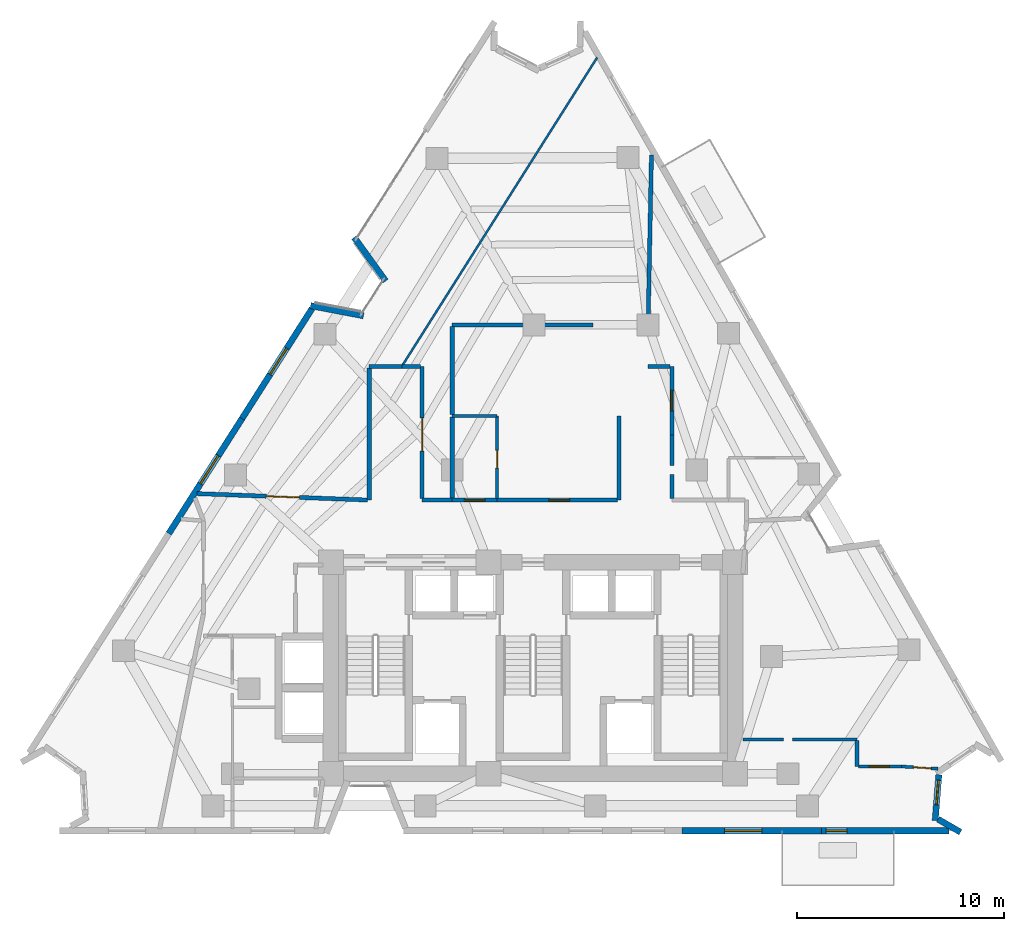
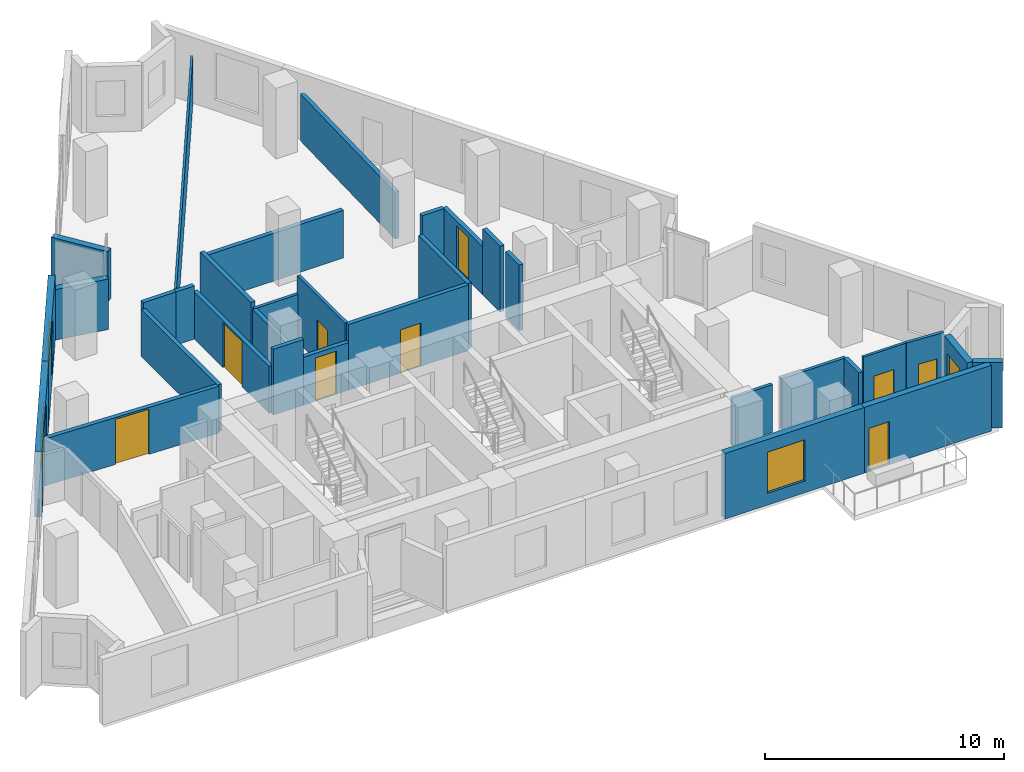
# One storey, part 8 of 12: 33 walls, 9 doors, 4 windows, 13 openings.
"""IFC4 building model written with IfcOpenShell, lengths in metres."""

import ifcopenshell
import ifcopenshell.guid

model = None  # the IFC model being written
_history = None  # IfcOwnerHistory: only IFC2X3 demands one
_inside = {}  # id of a spatial element -> (the spatial element, [elements in it])
_under = {}  # id of a project, library or spatial element -> (it, [spatial elements below it])
_declared = {}  # id of a project -> (the project, [libraries it declares])
_typed = {}  # id of a type object -> (the type object, [elements of that type])
_made_of = {}  # id of a material, layer set ... -> (it, [elements and type objects made of it])


def new_model(schema):
    """Start an empty IFC model of exactly this schema.

    Asked for "IFC4X3", IfcOpenShell would pick the latest addendum, in which some entities
    have other attributes; the version numbers below select the first issue.
    IFC2X3 requires an IfcOwnerHistory on every rooted entity: one is made here for all.
    """
    global model, _history
    if schema == "IFC4X3":
        model = ifcopenshell.file(schema_version=(4, 3, 0, 0))
    else:
        model = ifcopenshell.file(schema=schema)
    _inside.clear()
    _under.clear()
    _declared.clear()
    _typed.clear()
    _made_of.clear()
    _history = None
    if model.schema == "IFC2X3":
        org = make("IfcOrganization", Name="unknown")
        user = make(
            "IfcPersonAndOrganization",
            ThePerson=make("IfcPerson", FamilyName="unknown"),
            TheOrganization=org,
        )
        app = make(
            "IfcApplication",
            ApplicationDeveloper=org,
            Version="unknown",
            ApplicationFullName="unknown",
            ApplicationIdentifier="unknown",
        )
        _history = make(
            "IfcOwnerHistory",
            OwningUser=user,
            OwningApplication=app,
            ChangeAction="ADDED",
            CreationDate=0,
        )
    return model


def make(cls, **values):
    """One entity of the class cls with the attributes given. An attribute that is None is left unset."""
    return model.create_entity(
        cls, **{name: value for name, value in values.items() if value is not None}
    )


def rooted(cls, **values):
    """An entity with a GlobalId (a new one), such as an element, a storey or a relation."""
    return make(cls, GlobalId=ifcopenshell.guid.new(), OwnerHistory=_history, **values)


def si_unit(unit_type, name, prefix=None):
    """IfcSIUnit, for example si_unit("LENGTHUNIT", "METRE", prefix="MILLI")."""
    return make("IfcSIUnit", UnitType=unit_type, Prefix=prefix, Name=name)


def assignment(units):
    """IfcUnitAssignment: the units of a project."""
    return None if units is None else make("IfcUnitAssignment", Units=units)


def point(xyz):
    """IfcCartesianPoint."""
    return None if xyz is None else make("IfcCartesianPoint", Coordinates=xyz)


def direction(xyz):
    """IfcDirection."""
    return None if xyz is None else make("IfcDirection", DirectionRatios=xyz)


def frame(location, z_axis=None, x_axis=None):
    """IfcAxis2Placement3D, a coordinate frame: its origin and axes. An axis left out is left unset."""
    return make(
        "IfcAxis2Placement3D",
        Location=point(location),
        Axis=direction(z_axis),
        RefDirection=direction(x_axis),
    )


def frame_2d(location, x_axis=None):
    """IfcAxis2Placement2D, a coordinate frame in the plane: its origin and x axis."""
    return make(
        "IfcAxis2Placement2D", Location=point(location), RefDirection=direction(x_axis)
    )


def origin():
    """The frame at (0, 0, 0) with its axes left unset."""
    return frame((0.0, 0.0, 0.0))


def place(relative_to, where):
    """IfcLocalPlacement: puts the frame where relative to a parent placement (None: the world)."""
    return make(
        "IfcLocalPlacement", PlacementRelTo=relative_to, RelativePlacement=where
    )


def context(
    kind, dimensions, precision=None, world=None, true_north=None, identifier=None
):
    """IfcGeometricRepresentationContext, for example the 3D "Model" context."""
    return make(
        "IfcGeometricRepresentationContext",
        ContextIdentifier=identifier,
        ContextType=kind,
        CoordinateSpaceDimension=dimensions,
        Precision=precision,
        WorldCoordinateSystem=world,
        TrueNorth=true_north,
    )


def subcontext(parent, identifier, kind, view, scale=None):
    """IfcGeometricRepresentationSubContext, for example "Body" below "Model"."""
    return make(
        "IfcGeometricRepresentationSubContext",
        ContextIdentifier=identifier,
        ContextType=kind,
        ParentContext=parent,
        TargetScale=scale,
        TargetView=view,
    )


def project(units=None, contexts=None):
    """IfcProject with its units and contexts."""
    return rooted(
        "IfcProject",
        Name="project",
        RepresentationContexts=contexts,
        UnitsInContext=assignment(units),
    )


def spatial(cls, under=None, at=None, **own):
    """A site, building, storey or space (cls), placed at a placement, below another one or the project."""
    s = rooted(cls, ObjectPlacement=at, **own)
    if under is not None:
        _under.setdefault(under.id(), (under, []))[1].append(s)
    return s


def profile(cls, at=None, kind="AREA", **sizes):
    """A parametric profile (cls). Its sizes go by their IFC names, for example OverallWidth=200.0."""
    return make(cls, ProfileType=kind, Position=at, **sizes)


def rectangle(**sizes):
    """IfcRectangleProfileDef."""
    return profile("IfcRectangleProfileDef", **sizes)


def extrude(swept, where, along, depth):
    """IfcExtrudedAreaSolid: the profile swept, set in the frame where, extruded along a direction by depth."""
    return make(
        "IfcExtrudedAreaSolid",
        SweptArea=swept,
        Position=where,
        ExtrudedDirection=direction(along),
        Depth=depth,
    )


def shape(context_of_items, identifier, shape_type, items):
    """IfcShapeRepresentation: the items that make up one representation, for example the "Body"."""
    return make(
        "IfcShapeRepresentation",
        ContextOfItems=context_of_items,
        RepresentationIdentifier=identifier,
        RepresentationType=shape_type,
        Items=items,
    )


def material(Name=None, Category=None):
    """IfcMaterial."""
    return make("IfcMaterial", Name=Name, Category=Category)


def layer(
    of_material, thickness, ventilated=None, Name=None, Category=None, Priority=None
):
    """IfcMaterialLayer: one layer of a wall or slab, of a material (None: an air gap)."""
    return make(
        "IfcMaterialLayer",
        Material=of_material,
        LayerThickness=thickness,
        IsVentilated=ventilated,
        Name=Name,
        Category=Category,
        Priority=Priority,
    )


def layer_set(layers, Name=None):
    """IfcMaterialLayerSet."""
    return make("IfcMaterialLayerSet", MaterialLayers=layers, LayerSetName=Name)


def made_of(thing, what):
    """Note that an element or type object is made of a material, layer set ...; save() writes the relation."""
    if what is not None:
        _made_of.setdefault(what.id(), (what, []))[1].append(thing)
    return thing


def type_object(cls, material=None, **own):
    """A type object (cls), such as IfcWallType, which elements share."""
    return made_of(rooted(cls, **own), material)


def element(
    cls,
    number,
    at=None,
    inside=None,
    cuts=None,
    type_object=None,
    material=None,
    context=None,
    identifier="Body",
    shape_type=None,
    held_by="IfcProductDefinitionShape",
    body=None,
    shapes=None,
    **own,
):
    """One element of the class cls, such as IfcWall. Its Tag is "e" and its number.

    at: its placement. inside: the storey or other place that contains it. cuts: it is an
    opening in that element (IfcRelVoidsElement). A single representation is given by context,
    identifier, shape_type and body (its items); several are given by shapes. held_by: the class
    of the entity that holds the representations. save() writes the other relations.
    """
    e = rooted(cls, Tag="e%d" % number, ObjectPlacement=at, **own)
    if body is not None:
        shapes = [shape(context, identifier, shape_type, body)]
    if shapes is not None:
        e.Representation = make(held_by, Representations=shapes)
    if inside is not None:
        _inside.setdefault(inside.id(), (inside, []))[1].append(e)
    if cuts is not None:
        rooted(
            "IfcRelVoidsElement", RelatingBuildingElement=cuts, RelatedOpeningElement=e
        )
    if type_object is not None:
        _typed.setdefault(type_object.id(), (type_object, []))[1].append(e)
    return made_of(e, material)


def fill(opening, filler):
    """IfcRelFillsElement: the door or window that sits in an opening."""
    return rooted(
        "IfcRelFillsElement",
        RelatingOpeningElement=opening,
        RelatedBuildingElement=filler,
    )


def aggregate(whole, parts):
    """IfcRelAggregates: a whole, such as a stair, and the parts it consists of."""
    return rooted("IfcRelAggregates", RelatingObject=whole, RelatedObjects=parts)


def save(model, path):
    """Write the relations noted so far, then the file.

    IfcRelAggregates (storeys below a building ...), IfcRelContainedInSpatialStructure (elements
    in a storey), IfcRelDefinesByType, IfcRelAssociatesMaterial and IfcRelDeclares: one each for
    every whole, place, type object, material and project.
    """
    for whole, parts in _under.values():
        aggregate(whole, parts)
    for where, things in _inside.values():
        rooted(
            "IfcRelContainedInSpatialStructure",
            RelatedElements=things,
            RelatingStructure=where,
        )
    for kind, things in _typed.values():
        rooted("IfcRelDefinesByType", RelatedObjects=things, RelatingType=kind)
    for what, things in _made_of.values():
        rooted("IfcRelAssociatesMaterial", RelatedObjects=things, RelatingMaterial=what)
    for by, libraries in _declared.values():
        rooted("IfcRelDeclares", RelatingContext=by, RelatedDefinitions=libraries)
    model.write(path)


model = new_model("IFC4")

# Units and contexts
model_context = context("Model", 3, precision=1e-05, world=origin(), true_north=direction((0.0, 1.0)))
body_context = subcontext(model_context, "Body", "Model", "MODEL_VIEW")
ifc_project = project(units=[si_unit("LENGTHUNIT", "METRE"), si_unit("AREAUNIT", "SQUARE_METRE"), si_unit("VOLUMEUNIT", "CUBIC_METRE"), si_unit("PLANEANGLEUNIT", "RADIAN"), si_unit("MASSUNIT", "GRAM", prefix="KILO")], contexts=[model_context])

# Site, building, storey
site_placement = place(None, origin())
site = spatial("IfcSite", under=ifc_project, at=site_placement, CompositionType="ELEMENT")
building_placement = place(site_placement, origin())
building = spatial("IfcBuilding", under=site, at=building_placement, Name="Almagre Mirador Tower", CompositionType="ELEMENT")
storey_placement = place(building_placement, frame((0.0, 0.0, 139.199951171875)))
storey = spatial("IfcBuildingStorey", under=building, at=storey_placement, Name="L35", CompositionType="ELEMENT", Elevation=139.199951171875)

# Walls
ifc_material_1 = material(Name="Precast concrete C50/60", Category="concrete")
ifc_layer_1 = layer(ifc_material_1, 0.300048828125)
ifc_layer_set_1 = layer_set([ifc_layer_1], Name="Precast concrete C50/60")
wall_type_1 = type_object("IfcWallType", Name="WAL-EXT-300", PredefinedType="SOLIDWALL", material=ifc_layer_set_1)
wall_1_placement = place(storey_placement, frame((26.574462890625, 27.12841796875, 0.0), z_axis=(0.0, 0.0, 1.0), x_axis=(0.982234625685, -0.187656974573, 0.0)))
element("IfcWall", 1, at=wall_1_placement, inside=storey, type_object=wall_type_1, Name="L35 expressed almagre precast frame wall 01", PredefinedType="SOLIDWALL", context=body_context, shape_type="SweptSolid", body=[
    extrude(rectangle(XDim=2.59423828125, YDim=0.300048828125, at=frame_2d((1.297119140625, 0.0))), origin(), (0.0, 0.0, 1.0), 2.574951171875),
])
wall_2_placement = place(storey_placement, frame((30.18896484375, 28.3173828125, 0.0), z_axis=(0.0, 0.0, 1.0), x_axis=(-0.585229316709, 0.810867835633, 0.0)))
element("IfcWall", 2, at=wall_2_placement, inside=storey, type_object=wall_type_1, Name="L35 expressed almagre precast frame wall 02", PredefinedType="SOLIDWALL", context=body_context, shape_type="SweptSolid", body=[
    extrude(rectangle(XDim=2.593505859375, YDim=0.300048828125, at=frame_2d((1.296875, 0.0))), origin(), (0.0, 0.0, 1.0), 2.574951171875),
])

# Wall, opening, window
wall_3_placement = place(storey_placement, frame((56.8759765625, 4.50244140625, 0.0), z_axis=(0.0, 0.0, 1.0), x_axis=(-0.079981668757, -0.996796334595, 0.0)))
wall_3 = element("IfcWall", 3, at=wall_3_placement, inside=storey, type_object=wall_type_1, Name="L35 expressed almagre precast frame wall 18", PredefinedType="SOLIDWALL", context=body_context, shape_type="SweptSolid", body=[
    extrude(rectangle(XDim=2.216064453125, YDim=0.300048828125, at=frame_2d((1.10791015625, 0.0))), origin(), (0.0, 0.0, 1.0), 3.35009765625),
])
opening_1_placement = place(wall_3_placement, frame((0.260009765625, 0.0, 0.800048828125)))
opening_1 = element("IfcOpeningElement", 4, at=opening_1_placement, cuts=wall_3, Name="Opening WN-04", PredefinedType="OPENING", context=body_context, shape_type="SweptSolid", body=[
    extrude(rectangle(XDim=1.199951171875, YDim=1.800048828125, at=frame_2d((0.60009765625, 0.89990234375))), frame((0.0, 0.159902, 0.0), z_axis=(0.0, -1.0, 0.0), x_axis=(1.0, 0.0, 0.0)), (0.0, 0.0, 1.0), 0.320049),
])
ifc_material_2 = material(Name="Dark solar-control laminated hurricane glass", Category="glass")
window_type_1 = type_object("IfcWindowType", Name="WIN-1200X1800", PartitioningType="SINGLE_PANEL", PredefinedType="WINDOW", material=ifc_material_2)
window_1_placement = place(opening_1_placement, origin())
window_1 = element("IfcWindow", 5, at=window_1_placement, inside=storey, type_object=window_type_1, Name="L35 recessed hurricane window L35-UD-BT", OverallHeight=1.800048828125, OverallWidth=1.199951171875, PartitioningType="SINGLE_PANEL", PredefinedType="WINDOW", context=body_context, shape_type="SweptSolid", body=[
    extrude(rectangle(XDim=1.199951171875, YDim=1.800048828125, at=frame_2d((0.60009765625, 0.89990234375))), frame((0.0, 0.030029296875, 0.0), z_axis=(0.0, -1.0, 0.0), x_axis=(1.0, 0.0, 0.0)), (0.0, 0.0, 1.0), 0.06005859375),
])
fill(opening_1, window_1)

# Wall
wall_4_placement = place(storey_placement, frame((56.83544921875, 2.360107421875, 0.0), z_axis=(0.0, 0.0, 1.0), x_axis=(0.864799842676, -0.502116751471, 0.0)))
element("IfcWall", 6, at=wall_4_placement, inside=storey, type_object=wall_type_1, Name="L35 expressed almagre precast frame wall 19", PredefinedType="SOLIDWALL", context=body_context, shape_type="SweptSolid", body=[
    extrude(rectangle(XDim=1.25537109375, YDim=0.300048828125, at=frame_2d((0.627685546875, 0.0))), origin(), (0.0, 0.0, 1.0), 3.35009765625),
])

# Wall, opening, door
wall_5_placement = place(storey_placement, frame((57.35498046875, 1.800048828125, 0.0), z_axis=(0.0, 0.0, 1.0), x_axis=(-1.0, 0.0, 0.0)))
wall_5 = element("IfcWall", 7, at=wall_5_placement, inside=storey, type_object=wall_type_1, Name="L35 expressed almagre precast frame wall 20", PredefinedType="SOLIDWALL", context=body_context, shape_type="SweptSolid", body=[
    extrude(rectangle(XDim=6.137939453125, YDim=0.300048828125, at=frame_2d((3.06884765625, 0.0))), origin(), (0.0, 0.0, 1.0), 3.35009765625),
])
opening_2_placement = place(wall_5_placement, frame((4.91796875, 0.0, 0.0)))
opening_2 = element("IfcOpeningElement", 8, at=opening_2_placement, cuts=wall_5, Name="Opening BD-01", PredefinedType="OPENING", context=body_context, shape_type="SweptSolid", body=[
    extrude(rectangle(XDim=1.0, YDim=2.199951171875, at=frame_2d((0.5, 1.10009765625))), frame((0.0, 0.159902, 0.0), z_axis=(0.0, -1.0, 0.0), x_axis=(1.0, 0.0, 0.0)), (0.0, 0.0, 1.0), 0.320049),
])
ifc_material_3 = material(Name="Black anodized aluminium and laminated glass", Category="aluminium")
door_type_1 = type_object("IfcDoorType", Name="DOR-BAL-1000X2200", OperationType="NOTDEFINED", PredefinedType="DOOR", material=ifc_material_3)
door_1_placement = place(opening_2_placement, origin())
door_1 = element("IfcDoor", 9, at=door_1_placement, inside=storey, type_object=door_type_1, Name="DR-1140 L35 south balcony glazed door 1", OperationType="SINGLE_SWING_LEFT", OverallHeight=2.199951171875, OverallWidth=1.0, PredefinedType="DOOR", context=body_context, shape_type="SweptSolid", body=[
    extrude(rectangle(XDim=1.0, YDim=2.199951171875, at=frame_2d((0.5, 1.10009765625))), frame((0.0, 0.02490234375, 0.0), z_axis=(0.0, -1.0, 0.0), x_axis=(1.0, 0.0, 0.0)), (0.0, 0.0, 1.0), 0.050048828125),
])
fill(opening_2, door_1)

# Wall, opening, window
wall_6_placement = place(storey_placement, frame((51.217041015625, 1.800048828125, 0.0), z_axis=(0.0, 0.0, 1.0), x_axis=(-1.0, 0.0, 0.0)))
wall_6 = element("IfcWall", 10, at=wall_6_placement, inside=storey, type_object=wall_type_1, Name="L35 expressed almagre precast frame wall 21", PredefinedType="SOLIDWALL", context=body_context, shape_type="SweptSolid", body=[
    extrude(rectangle(XDim=6.72314453125, YDim=0.300048828125, at=frame_2d((3.361572265625, 0.0))), origin(), (0.0, 0.0, 1.0), 3.35009765625),
])
opening_3_placement = place(wall_6_placement, frame((2.875, 0.0, 0.60009765625)))
opening_3 = element("IfcOpeningElement", 11, at=opening_3_placement, cuts=wall_6, Name="Opening WN-01", PredefinedType="OPENING", context=body_context, shape_type="SweptSolid", body=[
    extrude(rectangle(XDim=1.800048828125, YDim=2.10009765625, at=frame_2d((0.89990234375, 1.050048828125))), frame((0.0, 0.159902, 0.0), z_axis=(0.0, -1.0, 0.0), x_axis=(1.0, 0.0, 0.0)), (0.0, 0.0, 1.0), 0.320049),
])
ifc_material_4 = material(Name="Dark solar-control laminated hurricane glass", Category="glass")
window_type_2 = type_object("IfcWindowType", Name="WIN-1800X2100", PartitioningType="DOUBLE_PANEL_VERTICAL", PredefinedType="WINDOW", material=ifc_material_4)
window_2_placement = place(opening_3_placement, origin())
window_2 = element("IfcWindow", 12, at=window_2_placement, inside=storey, type_object=window_type_2, Name="L35 recessed hurricane window L35-UC-ST", OverallHeight=2.10009765625, OverallWidth=1.800048828125, PartitioningType="SINGLE_PANEL", PredefinedType="WINDOW", context=body_context, shape_type="SweptSolid", body=[
    extrude(rectangle(XDim=1.800048828125, YDim=2.10009765625, at=frame_2d((0.89990234375, 1.050048828125))), frame((0.0, 0.030029296875, 0.0), z_axis=(0.0, -1.0, 0.0), x_axis=(1.0, 0.0, 0.0)), (0.0, 0.0, 1.0), 0.06005859375),
])
fill(opening_3, window_2)

wall_7_placement = place(storey_placement, frame((19.73046875, 16.137939453125, 0.0), z_axis=(0.0, 0.0, 1.0), x_axis=(0.537099115242, 0.84351914051, 0.0)))
wall_7 = element("IfcWall", 13, at=wall_7_placement, inside=storey, type_object=wall_type_1, Name="L35 expressed almagre precast frame wall 34", PredefinedType="SOLIDWALL", context=body_context, shape_type="SweptSolid", body=[
    extrude(rectangle(XDim=6.5693359375, YDim=0.300048828125, at=frame_2d((3.28466796875, 0.0))), origin(), (0.0, 0.0, 1.0), 3.35009765625),
])
opening_4_placement = place(wall_7_placement, frame((2.85009765625, 0.0, 0.550048828125)))
opening_4 = element("IfcOpeningElement", 14, at=opening_4_placement, cuts=wall_7, Name="Opening WN-06", PredefinedType="OPENING", context=body_context, shape_type="SweptSolid", body=[
    extrude(rectangle(XDim=1.60009765625, YDim=2.199951171875, at=frame_2d((0.800048828125, 1.10009765625))), frame((0.0, 0.159902, 0.0), z_axis=(0.0, -1.0, 0.0), x_axis=(1.0, 0.0, 0.0)), (0.0, 0.0, 1.0), 0.320049),
])
ifc_material_5 = material(Name="Dark solar-control laminated hurricane glass", Category="glass")
window_type_3 = type_object("IfcWindowType", Name="WIN-1600X2200", PartitioningType="DOUBLE_PANEL_VERTICAL", PredefinedType="WINDOW", material=ifc_material_5)
window_3_placement = place(opening_4_placement, origin())
window_3 = element("IfcWindow", 15, at=window_3_placement, inside=storey, type_object=window_type_3, Name="L35 recessed hurricane window L35-RST-H", OverallHeight=2.199951171875, OverallWidth=1.60009765625, PartitioningType="SINGLE_PANEL", PredefinedType="WINDOW", context=body_context, shape_type="SweptSolid", body=[
    extrude(rectangle(XDim=1.60009765625, YDim=2.199951171875, at=frame_2d((0.800048828125, 1.10009765625))), frame((0.0, 0.030029296875, 0.0), z_axis=(0.0, -1.0, 0.0), x_axis=(1.0, 0.0, 0.0)), (0.0, 0.0, 1.0), 0.06005859375),
])
fill(opening_4, window_3)

wall_8_placement = place(storey_placement, frame((23.2587890625, 21.67919921875, 0.0), z_axis=(0.0, 0.0, 1.0), x_axis=(0.537131484502, 0.843498528959, 0.0)))
wall_8 = element("IfcWall", 16, at=wall_8_placement, inside=storey, type_object=wall_type_1, Name="L35 expressed almagre precast frame wall 35", PredefinedType="SOLIDWALL", context=body_context, shape_type="SweptSolid", body=[
    extrude(rectangle(XDim=6.2939453125, YDim=0.300048828125, at=frame_2d((3.14697265625, 0.0))), origin(), (0.0, 0.0, 1.0), 3.35009765625),
])
opening_5_placement = place(wall_8_placement, frame((2.52490234375, 0.0, 0.60009765625)))
opening_5 = element("IfcOpeningElement", 17, at=opening_5_placement, cuts=wall_8, Name="Opening WN-03", PredefinedType="OPENING", context=body_context, shape_type="SweptSolid", body=[
    extrude(rectangle(XDim=1.5, YDim=2.10009765625, at=frame_2d((0.75, 1.050048828125))), frame((0.0, 0.159902, 0.0), z_axis=(0.0, -1.0, 0.0), x_axis=(1.0, 0.0, 0.0)), (0.0, 0.0, 1.0), 0.320049),
])
ifc_material_6 = material(Name="Dark solar-control laminated hurricane glass", Category="glass")
window_type_4 = type_object("IfcWindowType", Name="WIN-1500X2100", PartitioningType="DOUBLE_PANEL_VERTICAL", PredefinedType="WINDOW", material=ifc_material_6)
window_4_placement = place(opening_5_placement, origin())
window_4 = element("IfcWindow", 18, at=window_4_placement, inside=storey, type_object=window_type_4, Name="L35 recessed hurricane window L35-RST-H", OverallHeight=2.10009765625, OverallWidth=1.5, PartitioningType="SINGLE_PANEL", PredefinedType="WINDOW", context=body_context, shape_type="SweptSolid", body=[
    extrude(rectangle(XDim=1.5, YDim=2.10009765625, at=frame_2d((0.75, 1.050048828125))), frame((0.0, 0.030029296875, 0.0), z_axis=(0.0, -1.0, 0.0), x_axis=(1.0, 0.0, 0.0)), (0.0, 0.0, 1.0), 0.06005859375),
])
fill(opening_5, window_4)

# Wall
ifc_material_7 = material(Name="Gypsum acoustic stud partition", Category="other")
ifc_layer_2 = layer(ifc_material_7, 0.10009765625)
ifc_layer_set_2 = layer_set([ifc_layer_2], Name="Gypsum acoustic stud partition")
wall_type_2 = type_object("IfcWallType", Name="WAL-PRT-100-CLS", PredefinedType="PARTITIONING", material=ifc_layer_set_2)
wall_9_placement = place(storey_placement, frame((31.015380859375, 24.27197265625, 0.0), z_axis=(0.0, 0.0, 1.0), x_axis=(0.534598518798, 0.8451061612, 0.0)))
element("IfcWall", 19, at=wall_9_placement, inside=storey, type_object=wall_type_2, Name="L35 interior partition 059", PredefinedType="PARTITIONING", context=body_context, shape_type="SweptSolid", body=[
    extrude(rectangle(XDim=17.547119140625, YDim=0.10009765625, at=frame_2d((8.7734375, 0.0))), origin(), (0.0, 0.0, 1.0), 2.39306640625),
])

# Wall, opening, door
ifc_material_8 = material(Name="Gypsum acoustic stud partition", Category="other")
ifc_layer_3 = layer(ifc_material_8, 0.125)
ifc_layer_set_3 = layer_set([ifc_layer_3], Name="Gypsum acoustic stud partition")
wall_type_3 = type_object("IfcWallType", Name="WAL-PRT-125-UTL", PredefinedType="PARTITIONING", material=ifc_layer_set_3)
wall_10_placement = place(storey_placement, frame((53.0048828125, 4.89990234375, 0.0), z_axis=(0.0, 0.0, 1.0), x_axis=(1.0, 0.0, 0.0)))
wall_10 = element("IfcWall", 20, at=wall_10_placement, inside=storey, type_object=wall_type_3, Name="L35 interior partition 040", PredefinedType="PARTITIONING", context=body_context, shape_type="SweptSolid", body=[
    extrude(rectangle(XDim=2.0751953125, YDim=0.125, at=frame_2d((1.03759765625, 0.0))), origin(), (0.0, 0.0, 1.0), 3.35009765625),
])
opening_6_placement = place(wall_10_placement, frame((0.52001953125, 0.0, 0.0)))
opening_6 = element("IfcOpeningElement", 21, at=opening_6_placement, cuts=wall_10, Name="Opening UD-01", PredefinedType="OPENING", context=body_context, shape_type="SweptSolid", body=[
    extrude(rectangle(XDim=0.949951171875, YDim=2.199951171875, at=frame_2d((0.47509765625, 1.10009765625))), frame((0.0, 0.0725, 0.0), z_axis=(0.0, -1.0, 0.0), x_axis=(1.0, 0.0, 0.0)), (0.0, 0.0, 1.0), 0.145),
])
ifc_material_9 = material(Name="Solid American walnut timber", Category="wood")
door_type_2 = type_object("IfcDoorType", Name="DOR-UNR-950X2200", OperationType="NOTDEFINED", PredefinedType="DOOR", material=ifc_material_9)
door_2_placement = place(opening_6_placement, origin())
door_2 = element("IfcDoor", 22, at=door_2_placement, inside=storey, type_object=door_type_2, Name="DR-1153 L35 interior door L35-UD-ST to L35-UD-KT", OperationType="SINGLE_SWING_RIGHT", OverallHeight=2.199951171875, OverallWidth=0.949951171875, PredefinedType="DOOR", context=body_context, shape_type="SweptSolid", body=[
    extrude(rectangle(XDim=0.949951171875, YDim=2.199951171875, at=frame_2d((0.47509765625, 1.10009765625))), frame((0.0, 0.02490234375, 0.0), z_axis=(0.0, -1.0, 0.0), x_axis=(1.0, 0.0, 0.0)), (0.0, 0.0, 1.0), 0.050048828125),
])
fill(opening_6, door_2)

# Walls
ifc_material_10 = material(Name="Gypsum acoustic stud partition", Category="other")
ifc_layer_4 = layer(ifc_material_10, 0.14990234375)
ifc_layer_set_4 = layer_set([ifc_layer_4], Name="Gypsum acoustic stud partition")
wall_type_4 = type_object("IfcWallType", Name="WAL-PRT-150-STD", PredefinedType="PARTITIONING", material=ifc_layer_set_4)
wall_11_placement = place(storey_placement, frame((49.3798828125, 6.2099609375, 0.0), z_axis=(0.0, 0.0, 1.0), x_axis=(-1.0, 0.0, 0.0)))
element("IfcWall", 23, at=wall_11_placement, inside=storey, type_object=wall_type_4, Name="L35 interior partition 034", PredefinedType="PARTITIONING", context=body_context, shape_type="SweptSolid", body=[
    extrude(rectangle(XDim=1.954833984375, YDim=0.14990234375, at=frame_2d((0.9775390625, 0.0))), origin(), (0.0, 0.0, 1.0), 2.43603515625),
])
wall_12_placement = place(storey_placement, frame((52.919921875, 6.2099609375, 0.0), z_axis=(0.0, 0.0, 1.0), x_axis=(-1.0, 0.0, 0.0)))
element("IfcWall", 24, at=wall_12_placement, inside=storey, type_object=wall_type_4, Name="L35 interior partition 035", PredefinedType="PARTITIONING", context=body_context, shape_type="SweptSolid", body=[
    extrude(rectangle(XDim=3.099853515625, YDim=0.14990234375, at=frame_2d((1.5498046875, 0.0))), origin(), (0.0, 0.0, 1.0), 2.570068359375),
])

# Wall, opening, door
wall_13_placement = place(storey_placement, frame((55.080078125, 4.89990234375, 0.0), z_axis=(0.0, 0.0, 1.0), x_axis=(0.998004666512, -0.063140206047, 0.0)))
wall_13 = element("IfcWall", 25, at=wall_13_placement, inside=storey, type_object=wall_type_4, Name="L35 interior partition 041", PredefinedType="PARTITIONING", context=body_context, shape_type="SweptSolid", body=[
    extrude(rectangle(XDim=1.75537109375, YDim=0.14990234375, at=frame_2d((0.877685546875, 0.0))), origin(), (0.0, 0.0, 1.0), 3.35009765625),
])
opening_7_placement = place(wall_13_placement, frame((0.570068359375, 0.0, 0.0)))
opening_7 = element("IfcOpeningElement", 26, at=opening_7_placement, cuts=wall_13, Name="Opening UD-04", PredefinedType="OPENING", context=body_context, shape_type="SweptSolid", body=[
    extrude(rectangle(XDim=0.85009765625, YDim=2.10009765625, at=frame_2d((0.425048828125, 1.050048828125))), frame((0.0, 0.084951, 0.0), z_axis=(0.0, -1.0, 0.0), x_axis=(1.0, 0.0, 0.0)), (0.0, 0.0, 1.0), 0.169902),
])
ifc_material_11 = material(Name="Moisture-resistant oak timber", Category="wood")
door_type_3 = type_object("IfcDoorType", Name="DOR-UNR-850X2100", OperationType="NOTDEFINED", PredefinedType="DOOR", material=ifc_material_11)
door_3_placement = place(opening_7_placement, origin())
door_3 = element("IfcDoor", 27, at=door_3_placement, inside=storey, type_object=door_type_3, Name="DR-1154 L35 interior door L35-UD-ST to L35-UD-BT", OperationType="SINGLE_SWING_LEFT", OverallHeight=2.10009765625, OverallWidth=0.85009765625, PredefinedType="DOOR", context=body_context, shape_type="SweptSolid", body=[
    extrude(rectangle(XDim=0.85009765625, YDim=2.10009765625, at=frame_2d((0.425048828125, 1.050048828125))), frame((0.0, 0.02490234375, 0.0), z_axis=(0.0, -1.0, 0.0), x_axis=(1.0, 0.0, 0.0)), (0.0, 0.0, 1.0), 0.050048828125),
])
fill(opening_7, door_3)

wall_14_placement = place(storey_placement, frame((35.570068359375, 21.81005859375, 0.0), z_axis=(0.0, 0.0, 1.0), x_axis=(0.0, -1.0, 0.0)))
wall_14 = element("IfcWall", 28, at=wall_14_placement, inside=storey, type_object=wall_type_4, Name="L35 interior partition 049", PredefinedType="PARTITIONING", context=body_context, shape_type="SweptSolid", body=[
    extrude(rectangle(XDim=3.97509765625, YDim=0.14990234375, at=frame_2d((1.987548828125, 0.0))), origin(), (0.0, 0.0, 1.0), 3.35009765625),
])
opening_8_placement = place(wall_14_placement, frame((1.66357421875, 0.0, 0.0)))
opening_8 = element("IfcOpeningElement", 29, at=opening_8_placement, cuts=wall_14, Name="Opening UD-04", PredefinedType="OPENING", context=body_context, shape_type="SweptSolid", body=[
    extrude(rectangle(XDim=0.85009765625, YDim=2.10009765625, at=frame_2d((0.425048828125, 1.050048828125))), frame((0.0, 0.084951, 0.0), z_axis=(0.0, -1.0, 0.0), x_axis=(1.0, 0.0, 0.0)), (0.0, 0.0, 1.0), 0.169902),
])
door_4_placement = place(opening_8_placement, origin())
door_4 = element("IfcDoor", 30, at=door_4_placement, inside=storey, type_object=door_type_3, Name="DR-1156 L35 interior door L35-UF-ST to L35-UF-BT", OperationType="SINGLE_SWING_LEFT", OverallHeight=2.10009765625, OverallWidth=0.85009765625, PredefinedType="DOOR", context=body_context, shape_type="SweptSolid", body=[
    extrude(rectangle(XDim=0.85009765625, YDim=2.10009765625, at=frame_2d((0.425048828125, 1.050048828125))), frame((0.0, 0.02490234375, 0.0), z_axis=(0.0, -1.0, 0.0), x_axis=(1.0, 0.0, 0.0)), (0.0, 0.0, 1.0), 0.050048828125),
])
fill(opening_8, door_4)

# Walls
wall_15_placement = place(storey_placement, frame((33.39990234375, 21.81005859375, 0.0), z_axis=(0.0, 0.0, 1.0), x_axis=(1.0, 0.0, 0.0)))
element("IfcWall", 31, at=wall_15_placement, inside=storey, type_object=wall_type_4, Name="L35 interior partition 050", PredefinedType="PARTITIONING", context=body_context, shape_type="SweptSolid", body=[
    extrude(rectangle(XDim=2.170166015625, YDim=0.14990234375, at=frame_2d((1.0849609375, 0.0))), origin(), (0.0, 0.0, 1.0), 2.43603515625),
])
ifc_material_12 = material(Name="Gypsum acoustic stud partition", Category="other")
ifc_layer_5 = layer(ifc_material_12, 0.199951171875)
ifc_layer_set_5 = layer_set([ifc_layer_5], Name="Gypsum acoustic stud partition")
wall_type_5 = type_object("IfcWallType", Name="WAL-PRT-200-EI60", PredefinedType="PARTITIONING", material=ifc_layer_set_5)
wall_16_placement = place(storey_placement, frame((41.449951171875, 21.81005859375, 0.0), z_axis=(0.0, 0.0, 1.0), x_axis=(0.0, -1.0, 0.0)))
element("IfcWall", 32, at=wall_16_placement, inside=storey, type_object=wall_type_5, Name="L35 interior partition 006", PredefinedType="PARTITIONING", context=body_context, shape_type="SweptSolid", body=[
    extrude(rectangle(XDim=4.06005859375, YDim=0.199951171875, at=frame_2d((2.030029296875, 0.0))), origin(), (0.0, 0.0, 1.0), 3.35009765625),
])

# Wall, opening, door
wall_17_placement = place(storey_placement, frame((41.364990234375, 17.75, 0.0), z_axis=(0.0, 0.0, 1.0), x_axis=(-1.0, 0.0, 0.0)))
wall_17 = element("IfcWall", 33, at=wall_17_placement, inside=storey, type_object=wall_type_5, Name="L35 interior partition 007", PredefinedType="PARTITIONING", context=body_context, shape_type="SweptSolid", body=[
    extrude(rectangle(XDim=5.794921875, YDim=0.199951171875, at=frame_2d((2.8974609375, 0.0))), origin(), (0.0, 0.0, 1.0), 3.35009765625),
])
opening_9_placement = place(wall_17_placement, frame((2.2958984375, 0.0, 0.0)))
opening_9 = element("IfcOpeningElement", 34, at=opening_9_placement, cuts=wall_17, Name="Opening ID-01", PredefinedType="OPENING", context=body_context, shape_type="SweptSolid", body=[
    extrude(rectangle(XDim=1.0, YDim=2.199951171875, at=frame_2d((0.5, 1.10009765625))), frame((0.0, 0.110098, 0.0), z_axis=(0.0, -1.0, 0.0), x_axis=(1.0, 0.0, 0.0)), (0.0, 0.0, 1.0), 0.219951),
])
ifc_material_13 = material(Name="Fire-rated walnut timber", Category="wood")
door_type_4 = type_object("IfcDoorType", Name="DOR-FD60-1000X2200", OperationType="NOTDEFINED", PredefinedType="DOOR", material=ifc_material_13)
door_5_placement = place(opening_9_placement, origin())
door_5 = element("IfcDoor", 35, at=door_5_placement, inside=storey, type_object=door_type_4, Name="DR-1155 L35 interior door L35-RCOR to L35-UF-ST", OperationType="SINGLE_SWING_RIGHT", OverallHeight=2.199951171875, OverallWidth=1.0, PredefinedType="DOOR", context=body_context, shape_type="SweptSolid", body=[
    extrude(rectangle(XDim=1.0, YDim=2.199951171875, at=frame_2d((0.5, 1.10009765625))), frame((0.0, 0.02490234375, 0.0), z_axis=(0.0, -1.0, 0.0), x_axis=(1.0, 0.0, 0.0)), (0.0, 0.0, 1.0), 0.050048828125),
])
fill(opening_9, door_5)

wall_18_placement = place(storey_placement, frame((35.570068359375, 17.75, 0.0), z_axis=(0.0, 0.0, 1.0), x_axis=(-1.0, 0.0, 0.0)))
wall_18 = element("IfcWall", 36, at=wall_18_placement, inside=storey, type_object=wall_type_5, Name="L35 interior partition 008", PredefinedType="PARTITIONING", context=body_context, shape_type="SweptSolid", body=[
    extrude(rectangle(XDim=2.170166015625, YDim=0.199951171875, at=frame_2d((1.0849609375, 0.0))), origin(), (0.0, 0.0, 1.0), 2.43603515625),
])
opening_10_placement = place(wall_18_placement, frame((0.5849609375, 0.0, 0.0)))
opening_10 = element("IfcOpeningElement", 37, at=opening_10_placement, cuts=wall_18, Name="Opening ID-01", PredefinedType="OPENING", context=body_context, shape_type="SweptSolid", body=[
    extrude(rectangle(XDim=1.0, YDim=2.199951171875, at=frame_2d((0.5, 1.10009765625))), frame((0.0, 0.110098, 0.0), z_axis=(0.0, -1.0, 0.0), x_axis=(1.0, 0.0, 0.0)), (0.0, 0.0, 1.0), 0.219951),
])
door_6_placement = place(opening_10_placement, origin())
door_6 = element("IfcDoor", 38, at=door_6_placement, inside=storey, type_object=door_type_4, Name="DR-1159 L35 interior door L35-RCOR to L35-UF-BT", OperationType="SINGLE_SWING_LEFT", OverallHeight=2.199951171875, OverallWidth=1.0, PredefinedType="DOOR", context=body_context, shape_type="SweptSolid", body=[
    extrude(rectangle(XDim=1.0, YDim=2.199951171875, at=frame_2d((0.5, 1.10009765625))), frame((0.0, 0.02490234375, 0.0), z_axis=(0.0, -1.0, 0.0), x_axis=(1.0, 0.0, 0.0)), (0.0, 0.0, 1.0), 0.050048828125),
])
fill(opening_10, door_6)

wall_19_placement = place(storey_placement, frame((44.0, 20.8798828125, 0.0), z_axis=(0.0, 0.0, 1.0), x_axis=(0.0, 1.0, 0.0)))
wall_19 = element("IfcWall", 39, at=wall_19_placement, inside=storey, type_object=wall_type_5, Name="L35 interior partition 009", PredefinedType="PARTITIONING", context=body_context, shape_type="SweptSolid", body=[
    extrude(rectangle(XDim=3.320068359375, YDim=0.199951171875, at=frame_2d((1.66015625, 0.0))), origin(), (0.0, 0.0, 1.0), 2.43603515625),
])
opening_11_placement = place(wall_19_placement, frame((1.159912109375, 0.0, 0.0)))
opening_11 = element("IfcOpeningElement", 40, at=opening_11_placement, cuts=wall_19, Name="Opening ID-01", PredefinedType="OPENING", context=body_context, shape_type="SweptSolid", body=[
    extrude(rectangle(XDim=1.0, YDim=2.199951171875, at=frame_2d((0.5, 1.10009765625))), frame((0.0, 0.110098, 0.0), z_axis=(0.0, -1.0, 0.0), x_axis=(1.0, 0.0, 0.0)), (0.0, 0.0, 1.0), 0.219951),
])
door_7_placement = place(opening_11_placement, origin())
door_7 = element("IfcDoor", 41, at=door_7_placement, inside=storey, type_object=door_type_4, Name="DR-1157 L35 interior door L35-RCOR to L35-UG-ST", OperationType="SINGLE_SWING_RIGHT", OverallHeight=2.199951171875, OverallWidth=1.0, PredefinedType="DOOR", context=body_context, shape_type="SweptSolid", body=[
    extrude(rectangle(XDim=1.0, YDim=2.199951171875, at=frame_2d((0.5, 1.10009765625))), frame((0.0, 0.02490234375, 0.0), z_axis=(0.0, -1.0, 0.0), x_axis=(1.0, 0.0, 0.0)), (0.0, 0.0, 1.0), 0.050048828125),
])
fill(opening_11, door_7)

# Walls
wall_20_placement = place(storey_placement, frame((43.9150390625, 24.199951171875, 0.0), z_axis=(0.0, 0.0, 1.0), x_axis=(-1.0, 0.0, 0.0)))
element("IfcWall", 42, at=wall_20_placement, inside=storey, type_object=wall_type_5, Name="L35 interior partition 010", PredefinedType="PARTITIONING", context=body_context, shape_type="SweptSolid", body=[
    extrude(rectangle(XDim=1.06494140625, YDim=0.199951171875, at=frame_2d((0.532470703125, 0.0))), origin(), (0.0, 0.0, 1.0), 2.43603515625),
])
wall_21_placement = place(storey_placement, frame((44.0, 17.8349609375, 0.0), z_axis=(0.0, 0.0, 1.0), x_axis=(0.0, 1.0, 0.0)))
element("IfcWall", 43, at=wall_21_placement, inside=storey, type_object=wall_type_5, Name="L35 interior partition 014", PredefinedType="PARTITIONING", context=body_context, shape_type="SweptSolid", body=[
    extrude(rectangle(XDim=1.14501953125, YDim=0.199951171875, at=frame_2d((0.572509765625, 0.0))), origin(), (0.0, 0.0, 1.0), 3.35009765625),
])
wall_22_placement = place(storey_placement, frame((30.969970703125, 24.199951171875, 0.0), z_axis=(0.0, 0.0, 1.0), x_axis=(-1.0, 0.0, 0.0)))
element("IfcWall", 44, at=wall_22_placement, inside=storey, type_object=wall_type_5, Name="L35 interior partition 016", PredefinedType="PARTITIONING", context=body_context, shape_type="SweptSolid", body=[
    extrude(rectangle(XDim=1.570068359375, YDim=0.199951171875, at=frame_2d((0.78515625, 0.0))), origin(), (0.0, 0.0, 1.0), 2.712158203125),
])
wall_23_placement = place(storey_placement, frame((29.39990234375, 24.114990234375, 0.0), z_axis=(0.0, 0.0, 1.0), x_axis=(0.0, -1.0, 0.0)))
element("IfcWall", 45, at=wall_23_placement, inside=storey, type_object=wall_type_5, Name="L35 interior partition 017", PredefinedType="PARTITIONING", context=body_context, shape_type="SweptSolid", body=[
    extrude(rectangle(XDim=6.364990234375, YDim=0.199951171875, at=frame_2d((3.1826171875, 0.0))), origin(), (0.0, 0.0, 1.0), 2.39306640625),
])

# Wall, opening, door
wall_24_placement = place(storey_placement, frame((29.315185546875, 17.7529296875, 0.0), z_axis=(0.0, 0.0, 1.0), x_axis=(-0.999298310167, 0.037455137138, 0.0)))
wall_24 = element("IfcWall", 46, at=wall_24_placement, inside=storey, type_object=wall_type_5, Name="L35 interior partition 018", PredefinedType="PARTITIONING", context=body_context, shape_type="SweptSolid", body=[
    extrude(rectangle(XDim=8.22607421875, YDim=0.199951171875, at=frame_2d((4.113037109375, 0.0))), origin(), (0.0, 0.0, 1.0), 2.39306640625),
])
opening_12_placement = place(wall_24_placement, frame((3.28662109375, 0.0, 0.0)))
opening_12 = element("IfcOpeningElement", 47, at=opening_12_placement, cuts=wall_24, Name="Opening ID-05", PredefinedType="OPENING", context=body_context, shape_type="SweptSolid", body=[
    extrude(rectangle(XDim=1.60009765625, YDim=2.300048828125, at=frame_2d((0.800048828125, 1.14990234375))), frame((0.0, 0.110098, 0.0), z_axis=(0.0, -1.0, 0.0), x_axis=(1.0, 0.0, 0.0)), (0.0, 0.0, 1.0), 0.219951),
])
ifc_material_14 = material(Name="Fire-rated acoustic timber", Category="wood")
door_type_5 = type_object("IfcDoorType", Name="DOR-FD60-1600X2300", OperationType="DOUBLE_DOOR_SINGLE_SWING", PredefinedType="DOOR", material=ifc_material_14)
door_8_placement = place(opening_12_placement, origin())
door_8 = element("IfcDoor", 48, at=door_8_placement, inside=storey, type_object=door_type_5, Name="DR-1148 L35 interior door L35-RCOR to L35-RST-H", OperationType="DOUBLE_DOOR_SINGLE_SWING", OverallHeight=2.300048828125, OverallWidth=1.60009765625, PredefinedType="DOOR", context=body_context, shape_type="SweptSolid", body=[
    extrude(rectangle(XDim=1.60009765625, YDim=2.300048828125, at=frame_2d((0.800048828125, 1.14990234375))), frame((0.0, 0.02490234375, 0.0), z_axis=(0.0, -1.0, 0.0), x_axis=(1.0, 0.0, 0.0)), (0.0, 0.0, 1.0), 0.050048828125),
])
fill(opening_12, door_8)

# Wall
wall_25_placement = place(storey_placement, frame((33.39990234375, 17.75, 0.0), z_axis=(0.0, 0.0, 1.0), x_axis=(-1.0, 0.0, 0.0)))
element("IfcWall", 49, at=wall_25_placement, inside=storey, type_object=wall_type_5, Name="L35 interior partition 020", PredefinedType="PARTITIONING", context=body_context, shape_type="SweptSolid", body=[
    extrude(rectangle(XDim=1.449951171875, YDim=0.199951171875, at=frame_2d((0.72509765625, 0.0))), origin(), (0.0, 0.0, 1.0), 3.35009765625),
])

# Wall, opening, door
wall_26_placement = place(storey_placement, frame((31.949951171875, 17.8349609375, 0.0), z_axis=(0.0, 0.0, 1.0), x_axis=(0.0, 1.0, 0.0)))
wall_26 = element("IfcWall", 50, at=wall_26_placement, inside=storey, type_object=wall_type_5, Name="L35 interior partition 021", PredefinedType="PARTITIONING", context=body_context, shape_type="SweptSolid", body=[
    extrude(rectangle(XDim=6.364990234375, YDim=0.199951171875, at=frame_2d((3.1826171875, 0.0))), origin(), (0.0, 0.0, 1.0), 2.39306640625),
])
opening_13_placement = place(wall_26_placement, frame((2.281494140625, 0.0, 0.0)))
opening_13 = element("IfcOpeningElement", 51, at=opening_13_placement, cuts=wall_26, Name="Opening ID-05", PredefinedType="OPENING", context=body_context, shape_type="SweptSolid", body=[
    extrude(rectangle(XDim=1.60009765625, YDim=2.300048828125, at=frame_2d((0.800048828125, 1.14990234375))), frame((0.0, 0.110098, 0.0), z_axis=(0.0, -1.0, 0.0), x_axis=(1.0, 0.0, 0.0)), (0.0, 0.0, 1.0), 0.219951),
])
door_9_placement = place(opening_13_placement, origin())
door_9 = element("IfcDoor", 52, at=door_9_placement, inside=storey, type_object=door_type_5, Name="DR-1149 L35 interior door L35-RCOR to L35-RST-J", OperationType="DOUBLE_DOOR_SINGLE_SWING", OverallHeight=2.300048828125, OverallWidth=1.60009765625, PredefinedType="DOOR", context=body_context, shape_type="SweptSolid", body=[
    extrude(rectangle(XDim=1.60009765625, YDim=2.300048828125, at=frame_2d((0.800048828125, 1.14990234375))), frame((0.0, 0.02490234375, 0.0), z_axis=(0.0, -1.0, 0.0), x_axis=(1.0, 0.0, 0.0)), (0.0, 0.0, 1.0), 0.050048828125),
])
fill(opening_13, door_9)

# Walls
wall_27_placement = place(storey_placement, frame((31.864990234375, 24.199951171875, 0.0), z_axis=(0.0, 0.0, 1.0), x_axis=(-1.0, 0.0, 0.0)))
element("IfcWall", 53, at=wall_27_placement, inside=storey, type_object=wall_type_5, Name="L35 interior partition 022", PredefinedType="PARTITIONING", context=body_context, shape_type="SweptSolid", body=[
    extrude(rectangle(XDim=0.89501953125, YDim=0.199951171875, at=frame_2d((0.447509765625, 0.0))), origin(), (0.0, 0.0, 1.0), 2.712158203125),
])
wall_28_placement = place(storey_placement, frame((52.919921875, 4.89990234375, 0.0), z_axis=(0.0, 0.0, 1.0), x_axis=(0.0, 1.0, 0.0)))
element("IfcWall", 54, at=wall_28_placement, inside=storey, type_object=wall_type_5, Name="L35 interior partition 036", PredefinedType="PARTITIONING", context=body_context, shape_type="SweptSolid", body=[
    extrude(rectangle(XDim=1.25, YDim=0.199951171875, at=frame_2d((0.625, 0.0))), origin(), (0.0, 0.0, 1.0), 2.570068359375),
])
wall_29_placement = place(storey_placement, frame((40.199951171875, 26.199951171875, 0.0), z_axis=(0.0, 0.0, 1.0), x_axis=(-1.0, 0.0, 0.0)))
element("IfcWall", 55, at=wall_29_placement, inside=storey, type_object=wall_type_5, Name="L35 interior partition 051", PredefinedType="PARTITIONING", context=body_context, shape_type="SweptSolid", body=[
    extrude(rectangle(XDim=6.800048828125, YDim=0.199951171875, at=frame_2d((3.39990234375, 0.0))), origin(), (0.0, 0.0, 1.0), 2.43603515625),
])
wall_30_placement = place(storey_placement, frame((33.39990234375, 26.114990234375, 0.0), z_axis=(0.0, 0.0, 1.0), x_axis=(0.0, -1.0, 0.0)))
element("IfcWall", 56, at=wall_30_placement, inside=storey, type_object=wall_type_5, Name="L35 interior partition 052", PredefinedType="PARTITIONING", context=body_context, shape_type="SweptSolid", body=[
    extrude(rectangle(XDim=4.244873046875, YDim=0.199951171875, at=frame_2d((2.12255859375, 0.0))), origin(), (0.0, 0.0, 1.0), 2.712158203125),
])
wall_31_placement = place(storey_placement, frame((33.39990234375, 21.75, 0.0), z_axis=(0.0, 0.0, 1.0), x_axis=(0.0, -1.0, 0.0)))
element("IfcWall", 57, at=wall_31_placement, inside=storey, type_object=wall_type_5, Name="L35 interior partition 053", PredefinedType="PARTITIONING", context=body_context, shape_type="SweptSolid", body=[
    extrude(rectangle(XDim=3.9150390625, YDim=0.199951171875, at=frame_2d((1.95751953125, 0.0))), origin(), (0.0, 0.0, 1.0), 2.43603515625),
])
wall_32_placement = place(storey_placement, frame((43.012939453125, 34.402099609375, 0.0), z_axis=(0.0, 0.0, 1.0), x_axis=(-0.019849642377, -0.99980297644, 0.0)))
element("IfcWall", 58, at=wall_32_placement, inside=storey, type_object=wall_type_5, Name="L35 interior partition 057", PredefinedType="PARTITIONING", context=body_context, shape_type="SweptSolid", body=[
    extrude(rectangle(XDim=8.203857421875, YDim=0.199951171875, at=frame_2d((4.10205078125, 0.0))), origin(), (0.0, 0.0, 1.0), 2.39306640625),
])
wall_33_placement = place(storey_placement, frame((44.0, 19.419921875, 0.0), z_axis=(0.0, 0.0, 1.0), x_axis=(0.0, 1.0, 0.0)))
element("IfcWall", 59, at=wall_33_placement, inside=storey, type_object=wall_type_5, Name="L35 interior partition 060", PredefinedType="PARTITIONING", context=body_context, shape_type="SweptSolid", body=[
    extrude(rectangle(XDim=1.4599609375, YDim=0.199951171875, at=frame_2d((0.72998046875, 0.0))), origin(), (0.0, 0.0, 1.0), 3.35009765625),
])

save(model, "model.ifc")
